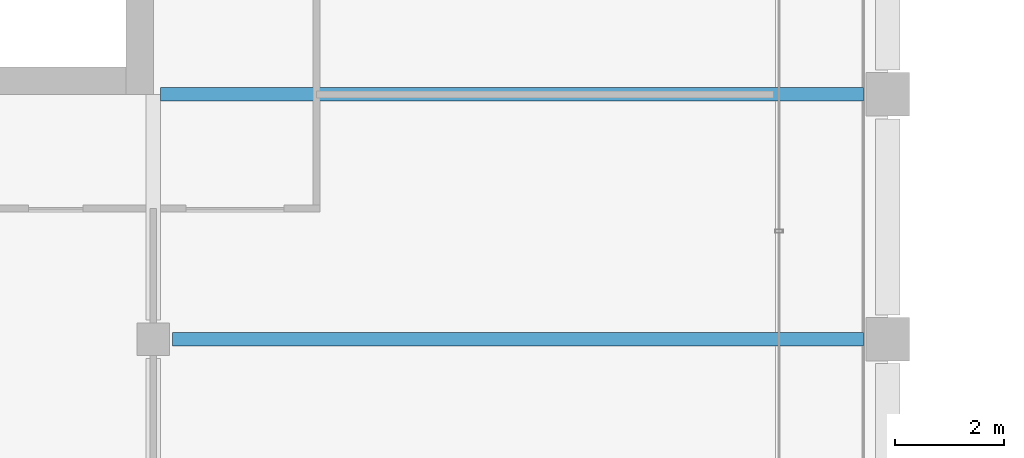
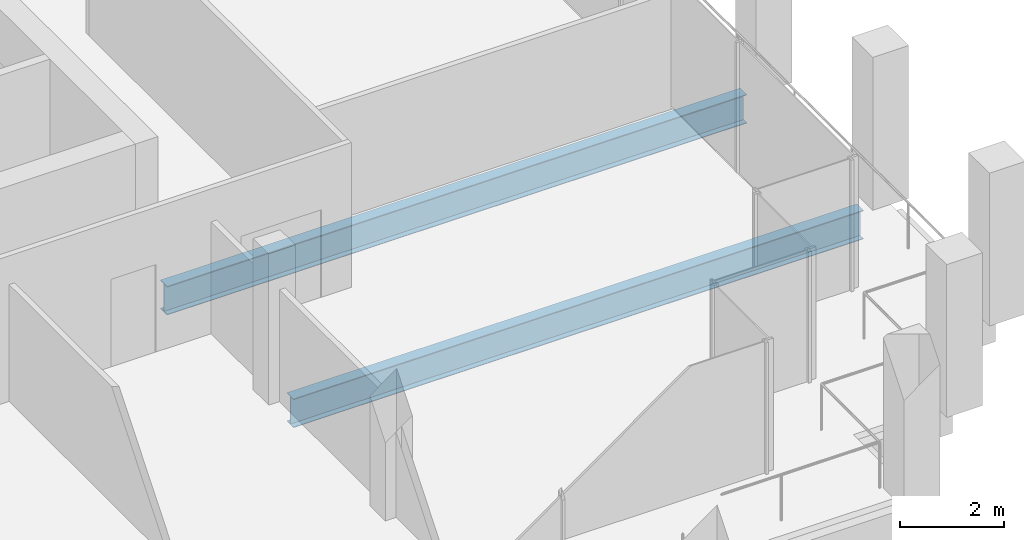
# One storey, part 14 of 40: 2 beams.
"""IFC4 building model written with IfcOpenShell, lengths in metres."""

from ifc_helpers import new_model, si_unit, direction, frame, origin, origin_2d, place, context, subcontext, project, spatial, i_section, extrude, material, material_profile, profile_set, type_object, element, save


model = new_model("IFC4")

# Units and contexts
model_context = context("Model", 3, precision=1e-05, world=origin(), true_north=direction((0.0, 1.0)))
body_context = subcontext(model_context, "Body", "Model", "MODEL_VIEW")
ifc_project = project(units=[si_unit("LENGTHUNIT", "METRE"), si_unit("AREAUNIT", "SQUARE_METRE"), si_unit("VOLUMEUNIT", "CUBIC_METRE"), si_unit("PLANEANGLEUNIT", "RADIAN"), si_unit("MASSUNIT", "GRAM", prefix="KILO")], contexts=[model_context])

# Site, building, storey
site_placement = place(None, origin())
site = spatial("IfcSite", under=ifc_project, at=site_placement, CompositionType="ELEMENT")
building_placement = place(site_placement, origin())
building = spatial("IfcBuilding", under=site, at=building_placement, Name="Altepetl Exchange Towers", CompositionType="ELEMENT")
storey_placement = place(building_placement, frame((0.0, 0.0, 195.60009765625)))
storey = spatial("IfcBuildingStorey", under=building, at=storey_placement, Name="L49", CompositionType="ELEMENT", Elevation=195.60009765625)

# Beams
ifc_material = material(Name="Steel S355", Category="steel")
ifc_material_profile = material_profile(ifc_material, i_section(OverallWidth=0.2529296875, OverallDepth=0.677978515625, WebThickness=0.01171875, FlangeThickness=0.016357421875, at=origin_2d()), Name="W27X84")
ifc_profile_set = profile_set([ifc_material_profile], Name="Steel S355")
beam_type = type_object("IfcBeamType", Name="Floor beam W27X84", PredefinedType="BEAM", material=ifc_profile_set)
beam_1_placement = place(storey_placement, frame((58.85009765625, 36.0, -0.489013671875), z_axis=(1.0, 0.0, 0.0), x_axis=(0.0, 1.0, 0.0)))
element("IfcBeam", 1, at=beam_1_placement, inside=storey, type_object=beam_type, Name="bm:A:L49:007", PredefinedType="BEAM", context=body_context, shape_type="SweptSolid", body=[
    extrude(i_section(OverallWidth=0.2529296875, OverallDepth=0.677978515625, WebThickness=0.01171875, FlangeThickness=0.016357421875, at=origin_2d()), origin(), (0.0, 0.0, 1.0), 12.699951171875),
])
beam_2_placement = place(storey_placement, frame((58.634033203125, 40.5, -0.489013671875), z_axis=(1.0, 0.0, 0.0), x_axis=(0.0, 1.0, 0.0)))
element("IfcBeam", 2, at=beam_2_placement, inside=storey, type_object=beam_type, Name="bm:A:L49:008", PredefinedType="BEAM", context=body_context, shape_type="SweptSolid", body=[
    extrude(i_section(OverallWidth=0.2529296875, OverallDepth=0.677978515625, WebThickness=0.01171875, FlangeThickness=0.016357421875, at=origin_2d()), origin(), (0.0, 0.0, 1.0), 12.916015625),
])

save(model, "model.ifc")
